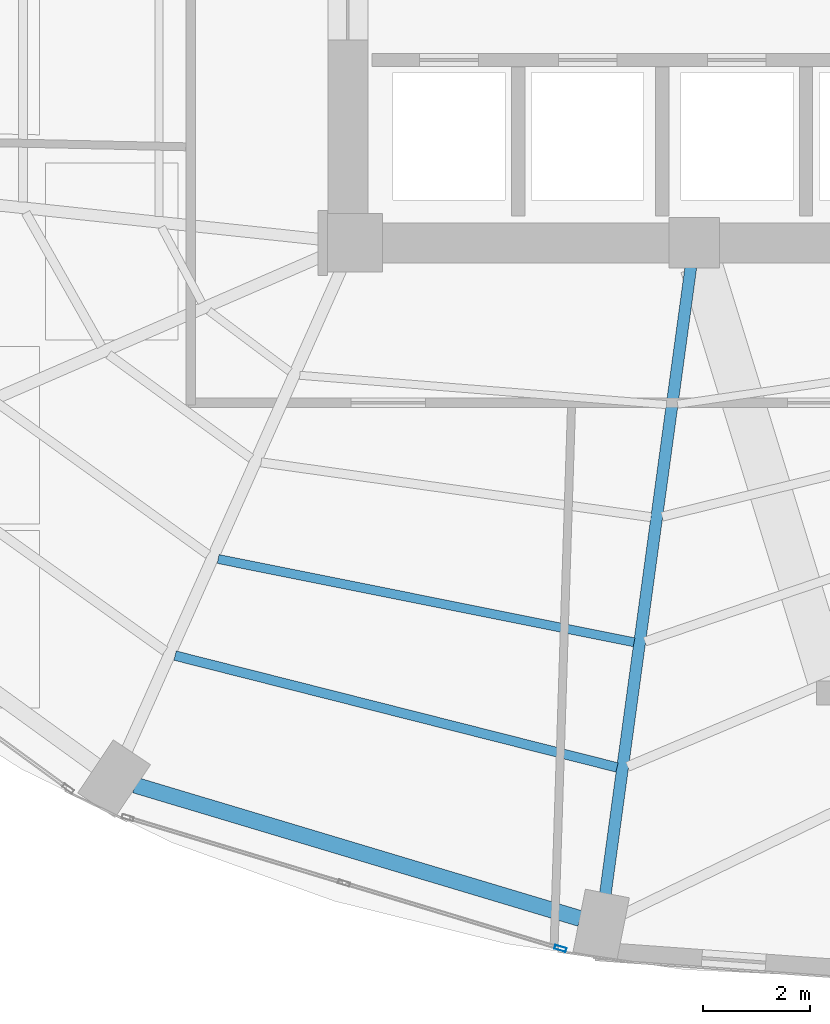
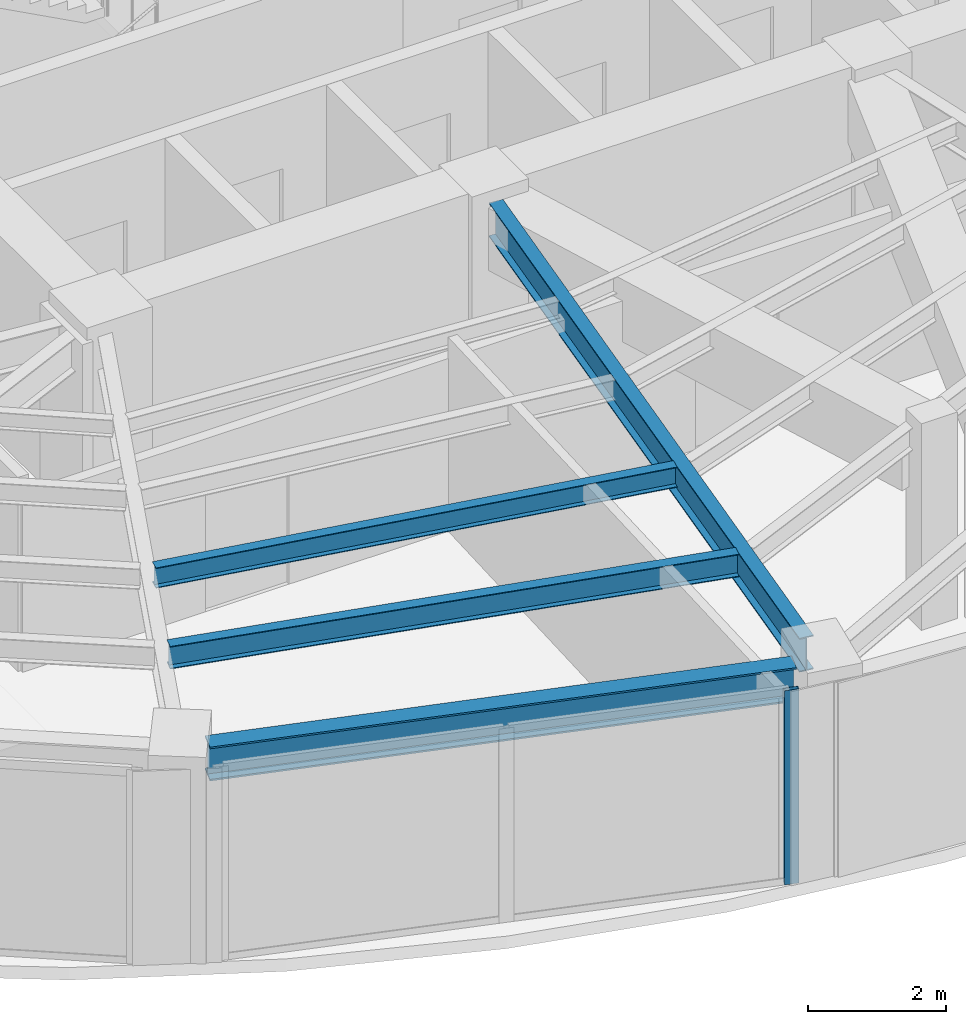
# One storey, part 5 of 23: 4 beams, 1 member, 1 element without a shape of its own.
"""IFC4 building model written with IfcOpenShell, lengths in metres."""

from ifc_helpers import new_model, si_unit, direction, frame, origin, origin_2d, place, context, subcontext, project, spatial, hollow_rectangle, i_section, extrude, material, layer, layer_set, material_profile, profile_set, type_object, element, aggregate, save


model = new_model("IFC4")

# Units and contexts
model_context = context("Model", 3, precision=1e-05, world=origin(), true_north=direction((0.0, 1.0)))
body_context = subcontext(model_context, "Body", "Model", "MODEL_VIEW")
ifc_project = project(units=[si_unit("LENGTHUNIT", "METRE"), si_unit("AREAUNIT", "SQUARE_METRE"), si_unit("VOLUMEUNIT", "CUBIC_METRE"), si_unit("PLANEANGLEUNIT", "RADIAN"), si_unit("MASSUNIT", "GRAM", prefix="KILO")], contexts=[model_context])

# Site, building, storey
site_placement = place(None, origin())
site = spatial("IfcSite", under=ifc_project, at=site_placement, CompositionType="ELEMENT")
building_placement = place(site_placement, origin())
building = spatial("IfcBuilding", under=site, at=building_placement, Name="Lazwardi Medical Tower", CompositionType="ELEMENT")
storey_placement = place(building_placement, frame((0.0, 0.0, 107.280029296875)))
storey = spatial("IfcBuildingStorey", under=building, at=storey_placement, Name="L27", CompositionType="ELEMENT", Elevation=107.280029296875)

# Beams
ifc_material_1 = material(Name="Steel S355", Category="steel")
ifc_material_profile_1 = material_profile(ifc_material_1, i_section(OverallWidth=0.300048828125, OverallDepth=0.60009765625, WebThickness=0.015380859375, FlangeThickness=0.030029296875, at=origin_2d()), Name="HEB 600")
ifc_profile_set_1 = profile_set([ifc_material_profile_1], Name="Steel S355")
beam_type_1 = type_object("IfcBeamType", Name="BM-RB-Z2", PredefinedType="BEAM", material=ifc_profile_set_1)
beam_1_placement = place(storey_placement, frame((22.30908203125, 10.224609375, 3.1279296875), z_axis=(0.957879438442, -0.287170648587, 0.0), x_axis=(0.287170648587, 0.957879438442, 0.0)))
element("IfcBeam", 1, at=beam_1_placement, inside=storey, type_object=beam_type_1, Name="Ring beam RB-03 B15 L27", PredefinedType="BEAM", context=body_context, shape_type="SweptSolid", body=[
    extrude(i_section(OverallWidth=0.300048828125, OverallDepth=0.60009765625, WebThickness=0.015380859375, FlangeThickness=0.030029296875, at=origin_2d()), origin(), (0.0, 0.0, 1.0), 8.719970703125),
])
ifc_material_profile_2 = material_profile(ifc_material_1, i_section(OverallWidth=0.219970703125, OverallDepth=0.60009765625, WebThickness=0.011962890625, FlangeThickness=0.01904296875, at=origin_2d()), Name="IPE 600")
ifc_profile_set_2 = profile_set([ifc_material_profile_2], Name="Steel S355")
beam_type_2 = type_object("IfcBeamType", Name="BM-RG-W1", PredefinedType="BEAM", material=ifc_profile_set_2)
beam_2_placement = place(storey_placement, frame((31.1328125, 8.17724609375, 3.1279296875), z_axis=(0.135147148002, 0.990825538825, 0.0), x_axis=(-0.990825538825, 0.135147148002, 0.0)))
element("IfcBeam", 2, at=beam_2_placement, inside=storey, type_object=beam_type_2, Name="Radial girder RG-02 R16 L27", PredefinedType="BEAM", context=body_context, shape_type="SweptSolid", body=[
    extrude(i_section(OverallWidth=0.219970703125, OverallDepth=0.60009765625, WebThickness=0.011962890625, FlangeThickness=0.01904296875, at=origin_2d()), origin(), (0.0, 0.0, 1.0), 11.875732421875),
])
ifc_material_profile_3 = material_profile(ifc_material_1, i_section(OverallWidth=0.179931640625, OverallDepth=0.39990234375, WebThickness=0.008544921875, FlangeThickness=0.013427734375, at=origin_2d()), Name="IPE 400")
ifc_profile_set_3 = profile_set([ifc_material_profile_3], Name="Steel S355")
beam_type_3 = type_object("IfcBeamType", Name="BM-SJ-01", PredefinedType="JOIST", material=ifc_profile_set_3)
beam_3_placement = place(storey_placement, frame((23.060302734375, 12.654296875, 3.22802734375), z_axis=(0.96945186753, -0.245281626997, 0.0), x_axis=(0.245281626997, 0.96945186753, 0.0)))
element("IfcBeam", 3, at=beam_3_placement, inside=storey, type_object=beam_type_3, Name="Secondary joist SJ-01 R1 B15 L27", PredefinedType="JOIST", context=body_context, shape_type="SweptSolid", body=[
    extrude(i_section(OverallWidth=0.179931640625, OverallDepth=0.39990234375, WebThickness=0.008544921875, FlangeThickness=0.013427734375, at=origin_2d()), origin(), (0.0, 0.0, 1.0), 8.552978515625),
])
ifc_material_profile_4 = material_profile(ifc_material_1, i_section(OverallWidth=0.169921875, OverallDepth=0.360107421875, WebThickness=0.008056640625, FlangeThickness=0.0126953125, at=origin_2d()), Name="IPE 360")
ifc_profile_set_4 = profile_set([ifc_material_profile_4], Name="Steel S355")
beam_type_4 = type_object("IfcBeamType", Name="BM-SJ-02", PredefinedType="JOIST", material=ifc_profile_set_4)
beam_4_placement = place(storey_placement, frame((23.8671875, 14.46728515625, 3.248046875), z_axis=(0.980542906584, -0.196304886203, 0.0), x_axis=(0.196304886203, 0.980542906584, 0.0)))
element("IfcBeam", 4, at=beam_4_placement, inside=storey, type_object=beam_type_4, Name="Secondary joist SJ-02 R2 B15 L27", PredefinedType="JOIST", context=body_context, shape_type="SweptSolid", body=[
    extrude(i_section(OverallWidth=0.169921875, OverallDepth=0.360107421875, WebThickness=0.008056640625, FlangeThickness=0.0126953125, at=origin_2d()), origin(), (0.0, 0.0, 1.0), 7.95947265625),
])

# Curtain wall, member
ifc_material_2 = material(Name="Anodised bronze aluminium and solar control glazing", Category="aluminium")
ifc_layer = layer(ifc_material_2, 0.195068359375)
ifc_layer_set = layer_set([ifc_layer], Name="Anodised bronze aluminium and solar control glazing")
curtain_wall_type = type_object("IfcCurtainWallType", Name="CW-SYS-03", PredefinedType="NOTDEFINED", material=ifc_layer_set)
curtain_wall_placement = place(storey_placement, origin())
curtain_wall = element("IfcCurtainWall", 5, at=curtain_wall_placement, inside=storey, type_object=curtain_wall_type, Name="L27 Unitised bronze curtain wall CW-03", PredefinedType="NOTDEFINED")
ifc_material_3 = material(Name="Anodised bronze aluminium", Category="aluminium")
ifc_material_profile_5 = material_profile(ifc_material_3, hollow_rectangle(XDim=0.074951171875, YDim=0.219970703125, WallThickness=0.00390625, at=origin_2d()), Name="ALU-MULLION 220x75x4")
ifc_profile_set_5 = profile_set([ifc_material_profile_5], Name="Anodised bronze aluminium")
member_type = type_object("IfcMemberType", Name="CW-MUL-01", PredefinedType="MULLION", material=ifc_profile_set_5)
member_placement = place(storey_placement, frame((30.289794921875, 7.159912109375, 0.0), z_axis=(0.0, 0.0, 1.0), x_axis=(0.28937381157, 0.957216170558, 0.0)))
member = element("IfcMember", 6, at=member_placement, type_object=member_type, Name="CW-03 mullion 3", PredefinedType="MULLION", context=body_context, shape_type="SweptSolid", body=[
    extrude(hollow_rectangle(XDim=0.074951171875, YDim=0.219970703125, WallThickness=0.00390625, at=origin_2d()), origin(), (0.0, 0.0, 1.0), 3.427978515625),
])
aggregate(curtain_wall, [member])

save(model, "model.ifc")
